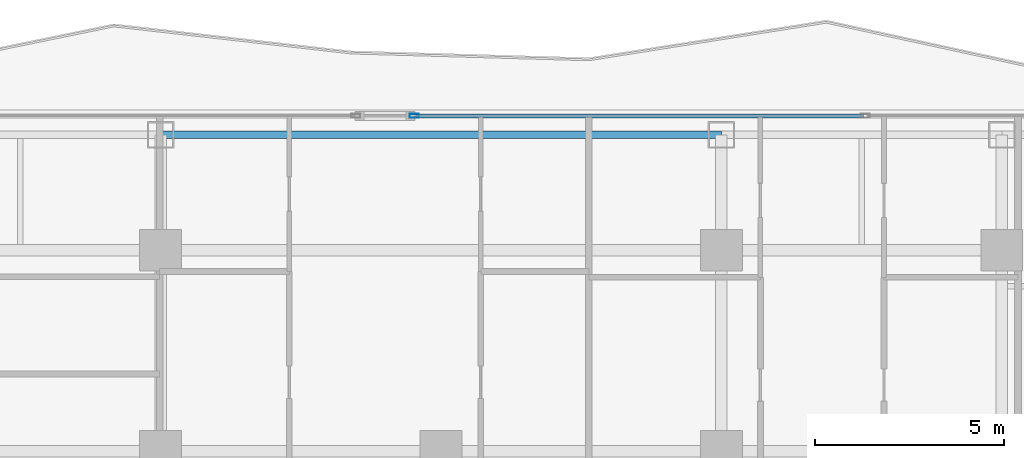
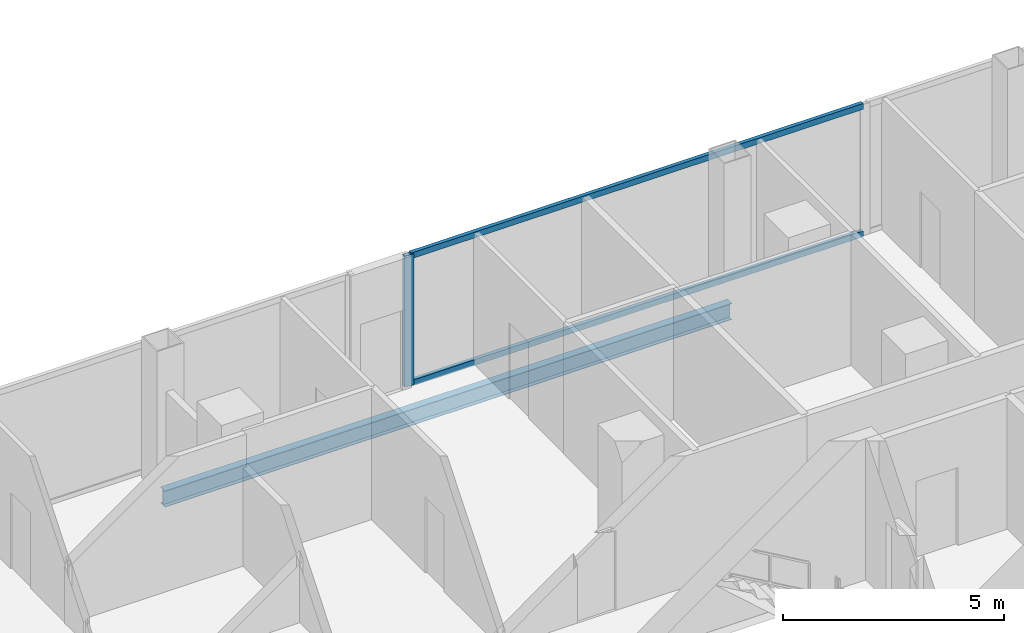
# One storey, part 15 of 27: 3 members, 1 beam, 1 element without a shape of its own.
"""IFC4 building model written with IfcOpenShell, lengths in metres."""

from ifc_helpers import new_model, si_unit, direction, frame, origin, origin_2d, place, context, subcontext, project, spatial, hollow_rectangle, i_section, extrude, material, layer, layer_set, material_profile, profile_set, type_object, element, aggregate, save


model = new_model("IFC4")

# Units and contexts
model_context = context("Model", 3, precision=1e-05, world=origin(), true_north=direction((0.0, 1.0)))
body_context = subcontext(model_context, "Body", "Model", "MODEL_VIEW")
ifc_project = project(units=[si_unit("LENGTHUNIT", "METRE"), si_unit("AREAUNIT", "SQUARE_METRE"), si_unit("VOLUMEUNIT", "CUBIC_METRE"), si_unit("PLANEANGLEUNIT", "RADIAN"), si_unit("MASSUNIT", "GRAM", prefix="KILO")], contexts=[model_context])

# Site, building, storey
site_placement = place(None, origin())
site = spatial("IfcSite", under=ifc_project, at=site_placement, CompositionType="ELEMENT")
building_placement = place(site_placement, origin())
building = spatial("IfcBuilding", under=site, at=building_placement, Name="Khorvyn Point Tower", CompositionType="ELEMENT")
storey_placement = place(building_placement, frame((0.0, 0.0, 164.10009765625)))
storey = spatial("IfcBuildingStorey", under=building, at=storey_placement, Name="L40", CompositionType="ELEMENT", Elevation=164.10009765625)

# Curtain wall, members
ifc_material_1 = material(Name="Anodised aluminium 6063-T6 and laminated Low-E glass", Category="aluminium")
ifc_layer = layer(ifc_material_1, 0.18994140625)
ifc_layer_set = layer_set([ifc_layer], Name="Stick-Built Acoustic Curtain Wall CW-SYS-03")
curtain_wall_type = type_object("IfcCurtainWallType", Name="Stick-Built Acoustic Curtain Wall CW-SYS-03", PredefinedType="NOTDEFINED", material=ifc_layer_set)
curtain_wall_placement = place(storey_placement, origin())
curtain_wall = element("IfcCurtainWall", 1, at=curtain_wall_placement, inside=storey, type_object=curtain_wall_type, Name="Curtain Wall", PredefinedType="NOTDEFINED")
ifc_material_2 = material(Name="Anodised aluminium 6063-T6", Category="aluminium")
ifc_material_profile_1 = material_profile(ifc_material_2, hollow_rectangle(XDim=0.10009765625, YDim=0.239990234375, WallThickness=0.0048828125, at=origin_2d()))
ifc_profile_set_1 = profile_set([ifc_material_profile_1], Name="Anodised aluminium 6063-T6 ALU-MUL-100x240")
member_type_1 = type_object("IfcMemberType", Name="Anodised Aluminium 6063-T6 Mullion ALU-MUL-100x240", PredefinedType="MULLION", material=ifc_profile_set_1)
member_1_placement = place(storey_placement, frame((-0.7060546875, 23.64990234375, 0.0), z_axis=(0.0, 0.0, 1.0), x_axis=(0.0, 1.0, 0.0)))
member_1 = element("IfcMember", 2, at=member_1_placement, type_object=member_type_1, Name="Transom", PredefinedType="MULLION", context=body_context, shape_type="SweptSolid", body=[
    extrude(hollow_rectangle(XDim=0.10009765625, YDim=0.239990234375, WallThickness=0.0048828125, at=origin_2d()), origin(), (0.0, 0.0, 1.0), 3.619873046875),
])
ifc_material_profile_2 = material_profile(ifc_material_2, hollow_rectangle(XDim=0.10009765625, YDim=0.159912109375, WallThickness=0.00439453125, at=origin_2d()))
ifc_profile_set_2 = profile_set([ifc_material_profile_2], Name="Anodised aluminium 6063-T6 ALU-TRN-100x160")
member_type_2 = type_object("IfcMemberType", Name="Anodised Aluminium 6063-T6 Transom ALU-TRN-100x160", PredefinedType="USERDEFINED", material=ifc_profile_set_2)
member_2_placement = place(storey_placement, frame((-0.656005859375, 23.64990234375, 0.0498046875), z_axis=(1.0, 0.0, 0.0), x_axis=(0.0, 1.0, 0.0)))
member_2 = element("IfcMember", 3, at=member_2_placement, type_object=member_type_2, Name="Transom", ObjectType="TRANSOM", PredefinedType="USERDEFINED", context=body_context, shape_type="SweptSolid", body=[
    extrude(hollow_rectangle(XDim=0.10009765625, YDim=0.159912109375, WallThickness=0.00439453125, at=origin_2d()), origin(), (0.0, 0.0, 1.0), 11.802978515625),
])
member_3_placement = place(storey_placement, frame((-0.656005859375, 23.64990234375, 3.56982421875), z_axis=(1.0, 0.0, 0.0), x_axis=(0.0, 1.0, 0.0)))
member_3 = element("IfcMember", 4, at=member_3_placement, type_object=member_type_2, Name="Transom", ObjectType="TRANSOM", PredefinedType="USERDEFINED", context=body_context, shape_type="SweptSolid", body=[
    extrude(hollow_rectangle(XDim=0.10009765625, YDim=0.159912109375, WallThickness=0.00439453125, at=origin_2d()), origin(), (0.0, 0.0, 1.0), 11.802978515625),
])
aggregate(curtain_wall, [member_1, member_2, member_3])

# Beam
ifc_material_3 = material(Name="Steel S355", Category="steel")
ifc_material_profile_3 = material_profile(ifc_material_3, i_section(OverallWidth=0.199951171875, OverallDepth=0.449951171875, WebThickness=0.009033203125, FlangeThickness=0.013916015625, at=origin_2d()))
ifc_profile_set_3 = profile_set([ifc_material_profile_3], Name="Steel S355 H450x200x9x14")
beam_type = type_object("IfcBeamType", Name="Steel S355 Spandrel H450x200x9x14", PredefinedType="SPANDREL", material=ifc_profile_set_3)
beam_placement = place(storey_placement, frame((-7.39990234375, 23.14990234375, -0.445068359375), z_axis=(1.0, 0.0, 0.0), x_axis=(0.0, 1.0, 0.0)))
element("IfcBeam", 5, at=beam_placement, inside=storey, type_object=beam_type, Name="Beam", PredefinedType="SPANDREL", context=body_context, shape_type="SweptSolid", body=[
    extrude(i_section(OverallWidth=0.199951171875, OverallDepth=0.449951171875, WebThickness=0.009033203125, FlangeThickness=0.013916015625, at=origin_2d()), origin(), (0.0, 0.0, 1.0), 14.7998046875),
])

save(model, "model.ifc")
